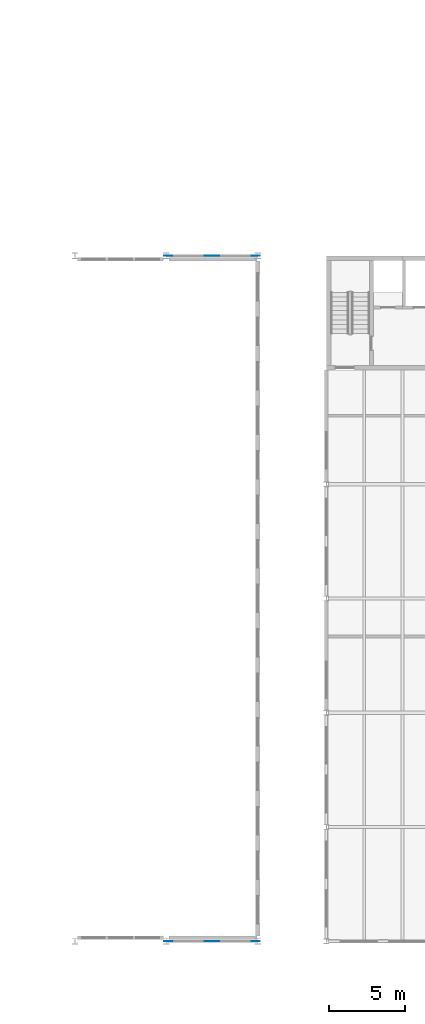
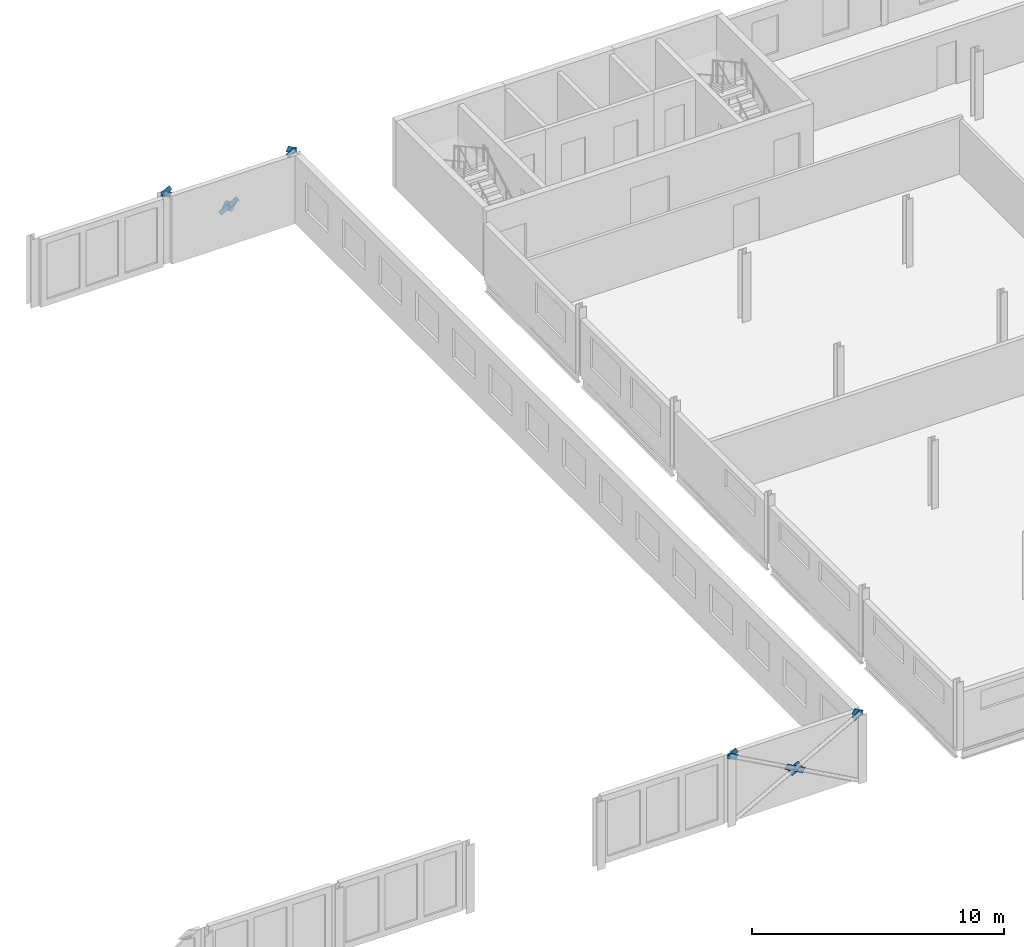
# One storey, part 164 of 199: 14 discrete accessories.
"""IFC4 building model written with IfcOpenShell, lengths in metres."""

from ifc_helpers import new_model, si_unit, direction, frame, origin, place, context, subcontext, project, spatial, polyline, outline, extrude, material, layer, layer_set, type_object, element, save


model = new_model("IFC4")

# Units and contexts
model_context = context("Model", 3, precision=1e-05, world=origin(), true_north=direction((0.0, 1.0)))
body_context = subcontext(model_context, "Body", "Model", "MODEL_VIEW")
ifc_project = project(units=[si_unit("LENGTHUNIT", "METRE"), si_unit("AREAUNIT", "SQUARE_METRE"), si_unit("VOLUMEUNIT", "CUBIC_METRE"), si_unit("PLANEANGLEUNIT", "RADIAN"), si_unit("MASSUNIT", "GRAM", prefix="KILO")], contexts=[model_context])

# Site, building, storey
site_placement = place(None, origin())
site = spatial("IfcSite", under=ifc_project, at=site_placement, CompositionType="ELEMENT")
building_placement = place(site_placement, origin())
building = spatial("IfcBuilding", under=site, at=building_placement, Name="Parallax Yard Mobility Hub", CompositionType="ELEMENT")
storey_placement = place(building_placement, frame((0.0, 0.0, 9.89990234375)))
storey = spatial("IfcBuildingStorey", under=building, at=storey_placement, Name="L03", CompositionType="ELEMENT", Elevation=9.89990234375)

# Discrete accessories
ifc_material = material(Name="Steel ASTM A36", Category="steel")
ifc_layer = layer(ifc_material, 0.011962890625)
ifc_layer_set = layer_set([ifc_layer], Name="Gusset plate PL12")
discrete_accessory_type = type_object("IfcDiscreteAccessoryType", Name="Gusset plate PL12", PredefinedType="BRACKET", material=ifc_layer_set)
discrete_accessory_1_placement = place(storey_placement, frame((92.606689453125, 7.5, 3.23095703125), z_axis=(0.0, 1.0, 0.0), x_axis=(0.876260918748, 0.0, 0.481836904226)))
element("IfcDiscreteAccessory", 1, at=discrete_accessory_1_placement, inside=storey, type_object=discrete_accessory_type, Name="Gusset plate PL12 at end 2 of X brace east end bay south face level 3 1", PredefinedType="BRACKET", context=body_context, shape_type="SweptSolid", body=[
    extrude(outline(polyline([(0.0, 0.0), (0.4580452909772414, 2.7755575615628914e-17), (0.4577912805793759, 0.25785907180368317), (0.00029148734181290437, 0.2578804128412087), (0.0, 0.0)])), origin(), (0.0, 0.0, -1.0), 0.011962890625),
])
discrete_accessory_2_placement = place(storey_placement, frame((90.350830078125, 7.5, 1.31005859375), z_axis=(0.0, 1.0, 0.0), x_axis=(-0.876137085839, 0.0, 0.482062036274)))
element("IfcDiscreteAccessory", 2, at=discrete_accessory_2_placement, inside=storey, type_object=discrete_accessory_type, Name="Gusset plate PL12 at end 2 of X brace east end bay south face level 3 2 (half 1)", PredefinedType="BRACKET", context=body_context, shape_type="SweptSolid", body=[
    extrude(outline(polyline([(0.0, 0.0), (0.45783137520166645, -2.7755575615628914e-17), (0.45782004875185034, 0.25776278829712423), (-1.1326449816093098e-05, 0.2577627882971243), (0.0, 0.0)])), origin(), (0.0, 0.0, -1.0), 0.011962890625),
])
discrete_accessory_3_placement = place(storey_placement, frame((89.649169921875, 7.5, 1.989990234375), z_axis=(0.0, 1.0, 0.0), x_axis=(0.876362269373, 0.0, -0.481652543666)))
element("IfcDiscreteAccessory", 3, at=discrete_accessory_3_placement, inside=storey, type_object=discrete_accessory_type, Name="Gusset plate PL12 at end 1 of X brace east end bay south face level 3 2 (half 2)", PredefinedType="BRACKET", context=body_context, shape_type="SweptSolid", body=[
    extrude(outline(polyline([(0.0, 0.0), (0.45771373425530937, 0.0), (0.45758194904547544, 0.2577627548573592), (-0.0001317852098339095, 0.2577627548573592), (0.0, 0.0)])), origin(), (0.0, 0.0, -1.0), 0.011962890625),
])
discrete_accessory_4_placement = place(storey_placement, frame((87.268798828125, 7.5, 3.005126953125), z_axis=(0.0, 1.0, 0.0), x_axis=(-0.876238441502, 0.0, 0.481877778731)))
element("IfcDiscreteAccessory", 4, at=discrete_accessory_4_placement, inside=storey, type_object=discrete_accessory_type, Name="Gusset plate PL12 at end 2 of X brace east end bay south face level 3 2 (half 2)", PredefinedType="BRACKET", context=body_context, shape_type="SweptSolid", body=[
    extrude(outline(polyline([(0.0, 0.0), (0.45749979373531174, 0.0), (0.45776583251018776, 0.2578590596742909), (-0.0002794579687115245, 0.2578804261576796), (0.0, 0.0)])), origin(), (0.0, 0.0, -1.0), 0.011962890625),
])
discrete_accessory_5_placement = place(storey_placement, frame((87.393310546875, 7.5, 3.369140625), z_axis=(0.0, 1.0, 0.0), x_axis=(-0.876485923717, 0.0, -0.481427487297)))
element("IfcDiscreteAccessory", 5, at=discrete_accessory_5_placement, inside=storey, type_object=discrete_accessory_type, Name="Gusset plate PL12 at end 1 of X brace east end bay south face level 4 1", PredefinedType="BRACKET", context=body_context, shape_type="SweptSolid", body=[
    extrude(outline(polyline([(0.0, 0.0), (0.45792770498553226, 0.0), (0.4579116950974483, 0.25764517651014446), (0.00029442574671517674, 0.25809423434664636), (0.0, 0.0)])), origin(), (0.0, 0.0, -1.0), 0.011962890625),
])
discrete_accessory_6_placement = place(storey_placement, frame((92.731201171875, 7.5, 3.59521484375), z_axis=(0.0, 1.0, 0.0), x_axis=(0.876013079243, 0.0, -0.482287346916)))
element("IfcDiscreteAccessory", 6, at=discrete_accessory_6_placement, inside=storey, type_object=discrete_accessory_type, Name="Gusset plate PL12 at end 1 of X brace east end bay south face level 4 2 (half 1)", PredefinedType="BRACKET", context=body_context, shape_type="SweptSolid", body=[
    extrude(outline(polyline([(0.0, 0.0), (0.4576174896799312, 0.0), (0.4578863255299387, 0.25764503675123607), (-4.115897703603488e-05, 0.25809439900052183), (0.0, 0.0)])), origin(), (0.0, 0.0, -1.0), 0.011962890625),
])
discrete_accessory_7_placement = place(storey_placement, frame((87.268798828125, 52.5, 3.005126953125), z_axis=(0.0, 1.0, 0.0), x_axis=(-0.876238441502, 0.0, 0.481877778731)))
element("IfcDiscreteAccessory", 7, at=discrete_accessory_7_placement, inside=storey, type_object=discrete_accessory_type, Name="Gusset plate PL12 at end 2 of X brace east end bay north face level 3 2", PredefinedType="BRACKET", context=body_context, shape_type="SweptSolid", body=[
    extrude(outline(polyline([(0.0, 0.0), (0.45749979373531174, 0.0), (0.45776583251018776, 0.2578590596742909), (-0.0002794579687115245, 0.2578804261576796), (0.0, 0.0)])), origin(), (0.0, 0.0, -1.0), 0.011962890625),
])
discrete_accessory_8_placement = place(storey_placement, frame((89.52490234375, 52.5, 1.535888671875), z_axis=(0.0, 1.0, 0.0), x_axis=(0.876137085839, 0.0, 0.482062036274)))
element("IfcDiscreteAccessory", 8, at=discrete_accessory_8_placement, inside=storey, type_object=discrete_accessory_type, Name="Gusset plate PL12 at end 2 of X brace east end bay north face level 3 1 (half 1)", PredefinedType="BRACKET", context=body_context, shape_type="SweptSolid", body=[
    extrude(outline(polyline([(0.0, 0.0), (0.45783137520166645, 2.7755575615628914e-17), (0.4578427016514825, 0.2577627882971243), (1.1326449816093098e-05, 0.2577627882971243), (0.0, 0.0)])), origin(), (0.0, 0.0, -1.0), 0.011962890625),
])
discrete_accessory_9_placement = place(storey_placement, frame((90.47509765625, 52.5, 1.76416015625), z_axis=(0.0, 1.0, 0.0), x_axis=(-0.876362269373, 0.0, -0.481652543666)))
element("IfcDiscreteAccessory", 9, at=discrete_accessory_9_placement, inside=storey, type_object=discrete_accessory_type, Name="Gusset plate PL12 at end 1 of X brace east end bay north face level 3 1 (half 2)", PredefinedType="BRACKET", context=body_context, shape_type="SweptSolid", body=[
    extrude(outline(polyline([(0.0, 0.0), (0.45771373425530937, 0.0), (0.45784551946514324, 0.2577627548573592), (0.0001317852098339095, 0.2577627548573592), (0.0, 0.0)])), origin(), (0.0, 0.0, -1.0), 0.011962890625),
])
discrete_accessory_10_placement = place(storey_placement, frame((92.606689453125, 52.5, 3.23095703125), z_axis=(0.0, 1.0, 0.0), x_axis=(0.876260918748, 0.0, 0.481836904226)))
element("IfcDiscreteAccessory", 10, at=discrete_accessory_10_placement, inside=storey, type_object=discrete_accessory_type, Name="Gusset plate PL12 at end 2 of X brace east end bay north face level 3 1 (half 2)", PredefinedType="BRACKET", context=body_context, shape_type="SweptSolid", body=[
    extrude(outline(polyline([(0.0, 0.0), (0.4580452909772414, 2.7755575615628914e-17), (0.4577912805793759, 0.25785907180368317), (0.00029148734181290437, 0.2578804128412087), (0.0, 0.0)])), origin(), (0.0, 0.0, -1.0), 0.011962890625),
])
discrete_accessory_11_placement = place(storey_placement, frame((92.731201171875, 52.5, 3.59521484375), z_axis=(0.0, 1.0, 0.0), x_axis=(0.876013079243, 0.0, -0.482287346916)))
element("IfcDiscreteAccessory", 11, at=discrete_accessory_11_placement, inside=storey, type_object=discrete_accessory_type, Name="Gusset plate PL12 at end 1 of X brace east end bay north face level 4 2", PredefinedType="BRACKET", context=body_context, shape_type="SweptSolid", body=[
    extrude(outline(polyline([(0.0, 0.0), (0.4576174896799312, 0.0), (0.4578863255299387, 0.25764503675123607), (-4.115897703603488e-05, 0.25809439900052183), (0.0, 0.0)])), origin(), (0.0, 0.0, -1.0), 0.011962890625),
])
discrete_accessory_12_placement = place(storey_placement, frame((87.393310546875, 52.5, 3.369140625), z_axis=(0.0, 1.0, 0.0), x_axis=(-0.876485923717, 0.0, -0.481427487297)))
element("IfcDiscreteAccessory", 12, at=discrete_accessory_12_placement, inside=storey, type_object=discrete_accessory_type, Name="Gusset plate PL12 at end 1 of X brace east end bay north face level 4 1 (half 1)", PredefinedType="BRACKET", context=body_context, shape_type="SweptSolid", body=[
    extrude(outline(polyline([(0.0, 0.0), (0.45792770498553226, 0.0), (0.4579116950974483, 0.25764517651014446), (0.00029442574671517674, 0.25809423434664636), (0.0, 0.0)])), origin(), (0.0, 0.0, -1.0), 0.011962890625),
])
discrete_accessory_13_placement = place(storey_placement, frame((89.653564453125, 7.5, 1.69921875), z_axis=(0.0, 1.0, 0.0), x_axis=(0.876206700171, 0.0, 0.48193549213)))
element("IfcDiscreteAccessory", 13, at=discrete_accessory_13_placement, inside=storey, type_object=discrete_accessory_type, Name="Gusset plate PL12 crossing node of X brace east end bay south face level 3 2", PredefinedType="BRACKET", context=body_context, shape_type="SweptSolid", body=[
    extrude(outline(polyline([(0.0, 0.0), (0.5597748973262152, 0.0), (0.5597989617310029, 0.41991406741557824), (2.4064404787665916e-05, 0.41991406741557824), (0.0, 0.0)])), origin(), (0.0, 0.0, -1.0), 0.011962890625),
])
discrete_accessory_14_placement = place(storey_placement, frame((90.14404296875, 52.5, 1.331298828125), z_axis=(0.0, 1.0, 0.0), x_axis=(-0.876206700171, 0.0, 0.48193549213)))
element("IfcDiscreteAccessory", 14, at=discrete_accessory_14_placement, inside=storey, type_object=discrete_accessory_type, Name="Gusset plate PL12 crossing node of X brace east end bay north face level 3 1", PredefinedType="BRACKET", context=body_context, shape_type="SweptSolid", body=[
    extrude(outline(polyline([(0.0, 0.0), (0.5597748973262152, 0.0), (0.5597508329214275, 0.41991406741557824), (-2.4064404787665916e-05, 0.41991406741557824), (0.0, 0.0)])), origin(), (0.0, 0.0, -1.0), 0.011962890625),
])

save(model, "model.ifc")
